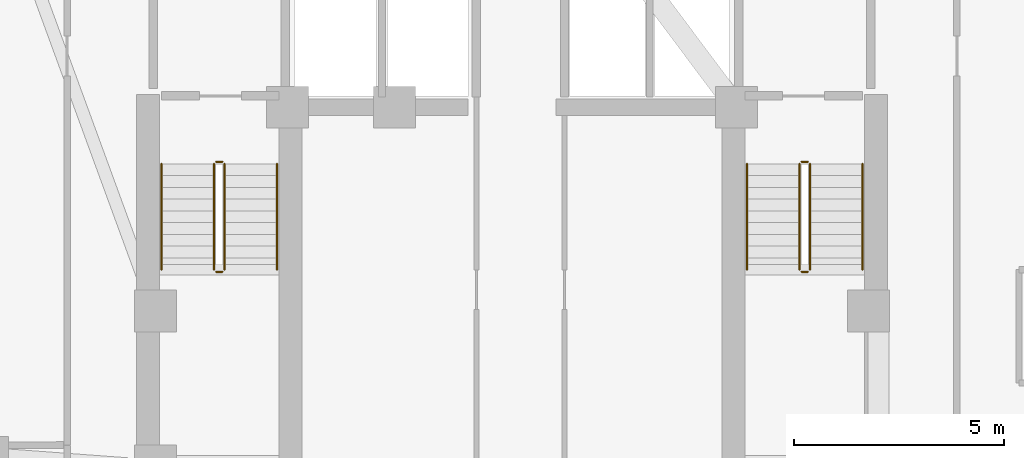
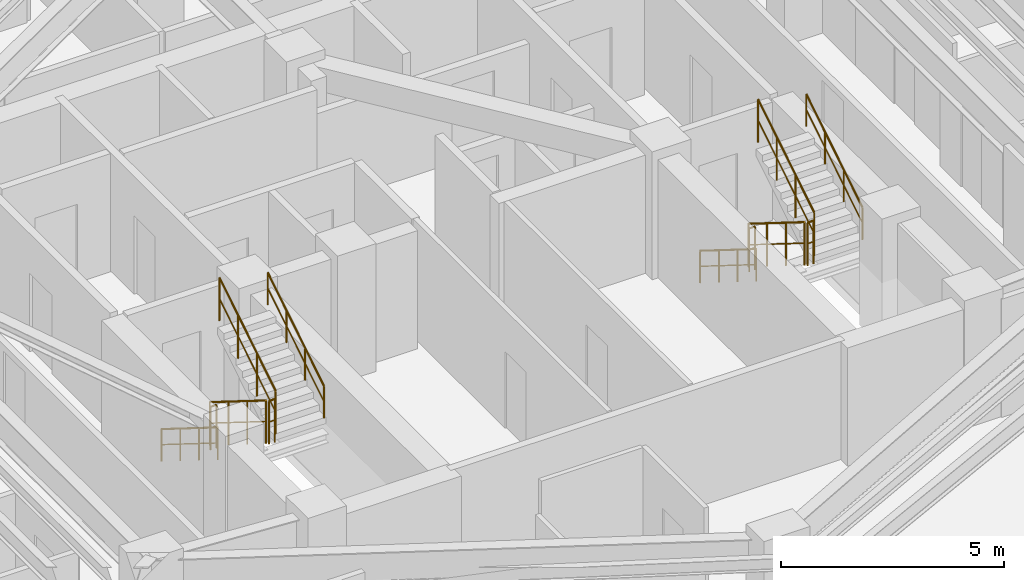
# One storey, part 14 of 14: 12 railings.
"""IFC4 building model written with IfcOpenShell, lengths in metres."""

from ifc_helpers import new_model, si_unit, direction, frame, origin, origin_2d, place, context, subcontext, project, spatial, circle, extrude, material, type_object, element, save


model = new_model("IFC4")

# Units and contexts
model_context = context("Model", 3, precision=1e-05, world=origin(), true_north=direction((0.0, 1.0)))
body_context = subcontext(model_context, "Body", "Model", "MODEL_VIEW")
ifc_project = project(units=[si_unit("LENGTHUNIT", "METRE"), si_unit("AREAUNIT", "SQUARE_METRE"), si_unit("VOLUMEUNIT", "CUBIC_METRE"), si_unit("PLANEANGLEUNIT", "RADIAN"), si_unit("MASSUNIT", "GRAM", prefix="KILO")], contexts=[model_context])

# Site, building, storey
site_placement = place(None, origin())
site = spatial("IfcSite", under=ifc_project, at=site_placement, CompositionType="ELEMENT")
building_placement = place(site_placement, origin())
building = spatial("IfcBuilding", under=site, at=building_placement, Name="Miruveldt Soraemaru", CompositionType="ELEMENT")
storey_placement = place(building_placement, frame((0.0, 0.0, 117.89990234375)))
storey = spatial("IfcBuildingStorey", under=building, at=storey_placement, Name="L32", CompositionType="ELEMENT", Elevation=117.89990234375)

# Railings
ifc_material = material(Name="Steel S355 (355 MPa)", Category="steel")
railing_type_1 = type_object("IfcRailingType", Name="RAIL-HR-900", PredefinedType="HANDRAIL", material=ifc_material)
railing_1_placement = place(storey_placement, frame((35.64990234375, 42.699951171875, 0.175048828125)))
element("IfcRailing", 1, at=railing_1_placement, inside=storey, type_object=railing_type_1, Name="L32 ST-1 stair handrail 1", PredefinedType="HANDRAIL", context=body_context, shape_type="SweptSolid", body=[
    extrude(circle(Radius=0.02392578125, at=origin_2d()), frame((0.0, 0.0, 0.8759765625), z_axis=(0.0, -0.848007534815, 0.529984170421), x_axis=(1.0, 0.0, 0.0)), (0.0, 0.0, 1.0), 2.9716796875),
    extrude(circle(Radius=0.01611328125, at=origin_2d()), frame((0.0, 0.0, 0.449951171875), z_axis=(0.0, -0.848007534815, 0.529984170421), x_axis=(1.0, 0.0, 0.0)), (0.0, 0.0, 1.0), 2.9716796875),
    extrude(circle(Radius=0.02099609375, at=origin_2d()), origin(), (0.0, 0.0, 1.0), 0.851806640625),
    extrude(circle(Radius=0.02099609375, at=origin_2d()), frame((0.0, -0.840087890625, 0.52490234375)), (0.0, 0.0, 1.0), 0.851806640625),
    extrude(circle(Radius=0.02099609375, at=origin_2d()), frame((0.0, -1.679931640625, 1.050048828125)), (0.0, 0.0, 1.0), 0.851806640625),
    extrude(circle(Radius=0.02099609375, at=origin_2d()), frame((0.0, -2.52001953125, 1.574951171875)), (0.0, 0.0, 1.0), 0.851806640625),
])
railing_2_placement = place(storey_placement, frame((38.39990234375, 40.179931640625, 1.925048828125)))
element("IfcRailing", 2, at=railing_2_placement, inside=storey, type_object=railing_type_1, Name="L32 ST-1 stair handrail 2", PredefinedType="HANDRAIL", context=body_context, shape_type="SweptSolid", body=[
    extrude(circle(Radius=0.02392578125, at=origin_2d()), frame((0.0, 0.0, 0.8759765625), z_axis=(0.0, 0.848007534815, 0.529984170421), x_axis=(-1.0, 0.0, 0.0)), (0.0, 0.0, 1.0), 2.9716796875),
    extrude(circle(Radius=0.01611328125, at=origin_2d()), frame((0.0, 0.0, 0.449951171875), z_axis=(0.0, 0.848007534815, 0.529984170421), x_axis=(-1.0, 0.0, 0.0)), (0.0, 0.0, 1.0), 2.9716796875),
    extrude(circle(Radius=0.02099609375, at=origin_2d()), origin(), (0.0, 0.0, 1.0), 0.851806640625),
    extrude(circle(Radius=0.02099609375, at=origin_2d()), frame((0.0, 0.840087890625, 0.52490234375)), (0.0, 0.0, 1.0), 0.851806640625),
    extrude(circle(Radius=0.02099609375, at=origin_2d()), frame((0.0, 1.679931640625, 1.050048828125)), (0.0, 0.0, 1.0), 0.851806640625),
    extrude(circle(Radius=0.02099609375, at=origin_2d()), frame((0.0, 2.52001953125, 1.574951171875)), (0.0, 0.0, 1.0), 0.851806640625),
])
railing_3_placement = place(storey_placement, frame((49.60009765625, 42.699951171875, 0.175048828125)))
element("IfcRailing", 3, at=railing_3_placement, inside=storey, type_object=railing_type_1, Name="L32 ST-2 stair handrail 1", PredefinedType="HANDRAIL", context=body_context, shape_type="SweptSolid", body=[
    extrude(circle(Radius=0.02392578125, at=origin_2d()), frame((0.0, 0.0, 0.8759765625), z_axis=(0.0, -0.848007534815, 0.529984170421), x_axis=(1.0, 0.0, 0.0)), (0.0, 0.0, 1.0), 2.9716796875),
    extrude(circle(Radius=0.01611328125, at=origin_2d()), frame((0.0, 0.0, 0.449951171875), z_axis=(0.0, -0.848007534815, 0.529984170421), x_axis=(1.0, 0.0, 0.0)), (0.0, 0.0, 1.0), 2.9716796875),
    extrude(circle(Radius=0.02099609375, at=origin_2d()), origin(), (0.0, 0.0, 1.0), 0.851806640625),
    extrude(circle(Radius=0.02099609375, at=origin_2d()), frame((0.0, -0.840087890625, 0.52490234375)), (0.0, 0.0, 1.0), 0.851806640625),
    extrude(circle(Radius=0.02099609375, at=origin_2d()), frame((0.0, -1.679931640625, 1.050048828125)), (0.0, 0.0, 1.0), 0.851806640625),
    extrude(circle(Radius=0.02099609375, at=origin_2d()), frame((0.0, -2.52001953125, 1.574951171875)), (0.0, 0.0, 1.0), 0.851806640625),
])
railing_4_placement = place(storey_placement, frame((52.35009765625, 40.179931640625, 1.925048828125)))
element("IfcRailing", 4, at=railing_4_placement, inside=storey, type_object=railing_type_1, Name="L32 ST-2 stair handrail 2", PredefinedType="HANDRAIL", context=body_context, shape_type="SweptSolid", body=[
    extrude(circle(Radius=0.02392578125, at=origin_2d()), frame((0.0, 0.0, 0.8759765625), z_axis=(0.0, 0.848007534815, 0.529984170421), x_axis=(-1.0, 0.0, 0.0)), (0.0, 0.0, 1.0), 2.9716796875),
    extrude(circle(Radius=0.01611328125, at=origin_2d()), frame((0.0, 0.0, 0.449951171875), z_axis=(0.0, 0.848007534815, 0.529984170421), x_axis=(-1.0, 0.0, 0.0)), (0.0, 0.0, 1.0), 2.9716796875),
    extrude(circle(Radius=0.02099609375, at=origin_2d()), origin(), (0.0, 0.0, 1.0), 0.851806640625),
    extrude(circle(Radius=0.02099609375, at=origin_2d()), frame((0.0, 0.840087890625, 0.52490234375)), (0.0, 0.0, 1.0), 0.851806640625),
    extrude(circle(Radius=0.02099609375, at=origin_2d()), frame((0.0, 1.679931640625, 1.050048828125)), (0.0, 0.0, 1.0), 0.851806640625),
    extrude(circle(Radius=0.02099609375, at=origin_2d()), frame((0.0, 2.52001953125, 1.574951171875)), (0.0, 0.0, 1.0), 0.851806640625),
])
railing_type_2 = type_object("IfcRailingType", Name="RAIL-STGUARD-1200", PredefinedType="GUARDRAIL", material=ifc_material)
railing_5_placement = place(storey_placement, frame((36.89990234375, 42.699951171875, 0.175048828125)))
element("IfcRailing", 5, at=railing_5_placement, inside=storey, type_object=railing_type_2, Name="L32 ST-1 stair guard 1", PredefinedType="GUARDRAIL", context=body_context, shape_type="SweptSolid", body=[
    extrude(circle(Radius=0.02392578125, at=origin_2d()), frame((0.0, 0.0, 1.17578125), z_axis=(0.0, -0.848007534815, 0.529984170421), x_axis=(1.0, 0.0, 0.0)), (0.0, 0.0, 1.0), 2.9716796875),
    extrude(circle(Radius=0.01611328125, at=origin_2d()), frame((0.0, 0.0, 0.60009765625), z_axis=(0.0, -0.848007534815, 0.529984170421), x_axis=(1.0, 0.0, 0.0)), (0.0, 0.0, 1.0), 2.9716796875),
    extrude(circle(Radius=0.02099609375, at=origin_2d()), origin(), (0.0, 0.0, 1.0), 1.15185546875),
    extrude(circle(Radius=0.02099609375, at=origin_2d()), frame((0.0, -0.840087890625, 0.52490234375)), (0.0, 0.0, 1.0), 1.15185546875),
    extrude(circle(Radius=0.02099609375, at=origin_2d()), frame((0.0, -1.679931640625, 1.050048828125)), (0.0, 0.0, 1.0), 1.15185546875),
    extrude(circle(Radius=0.02099609375, at=origin_2d()), frame((0.0, -2.52001953125, 1.574951171875)), (0.0, 0.0, 1.0), 1.15185546875),
])
railing_6_placement = place(storey_placement, frame((36.949951171875, 40.1298828125, 1.75)))
element("IfcRailing", 6, at=railing_6_placement, inside=storey, type_object=railing_type_2, Name="L32 ST-1 stair guard 2", PredefinedType="GUARDRAIL", context=body_context, shape_type="SweptSolid", body=[
    extrude(circle(Radius=0.02392578125, at=origin_2d()), frame((0.0, 0.0, 1.17578125), z_axis=(1.0, 0.0, 0.0), x_axis=(0.0, 1.0, 0.0)), (0.0, 0.0, 1.0), 0.150146484375),
    extrude(circle(Radius=0.01611328125, at=origin_2d()), frame((0.0, 0.0, 0.60009765625), z_axis=(1.0, 0.0, 0.0), x_axis=(0.0, 1.0, 0.0)), (0.0, 0.0, 1.0), 0.150146484375),
    extrude(circle(Radius=0.02099609375, at=origin_2d()), origin(), (0.0, 0.0, 1.0), 1.15185546875),
    extrude(circle(Radius=0.02099609375, at=origin_2d()), frame((0.150146484375, 0.0, 0.0)), (0.0, 0.0, 1.0), 1.15185546875),
])
railing_7_placement = place(storey_placement, frame((37.14990234375, 40.179931640625, 1.925048828125)))
element("IfcRailing", 7, at=railing_7_placement, inside=storey, type_object=railing_type_2, Name="L32 ST-1 stair guard 3", PredefinedType="GUARDRAIL", context=body_context, shape_type="SweptSolid", body=[
    extrude(circle(Radius=0.02392578125, at=origin_2d()), frame((0.0, 0.0, 1.17578125), z_axis=(0.0, 0.848007534815, 0.529984170421), x_axis=(-1.0, 0.0, 0.0)), (0.0, 0.0, 1.0), 2.9716796875),
    extrude(circle(Radius=0.01611328125, at=origin_2d()), frame((0.0, 0.0, 0.60009765625), z_axis=(0.0, 0.848007534815, 0.529984170421), x_axis=(-1.0, 0.0, 0.0)), (0.0, 0.0, 1.0), 2.9716796875),
    extrude(circle(Radius=0.02099609375, at=origin_2d()), origin(), (0.0, 0.0, 1.0), 1.15185546875),
    extrude(circle(Radius=0.02099609375, at=origin_2d()), frame((0.0, 0.840087890625, 0.52490234375)), (0.0, 0.0, 1.0), 1.15185546875),
    extrude(circle(Radius=0.02099609375, at=origin_2d()), frame((0.0, 1.679931640625, 1.050048828125)), (0.0, 0.0, 1.0), 1.15185546875),
    extrude(circle(Radius=0.02099609375, at=origin_2d()), frame((0.0, 2.52001953125, 1.574951171875)), (0.0, 0.0, 1.0), 1.15185546875),
])
railing_8_placement = place(storey_placement, frame((36.949951171875, 42.75, 0.0)))
element("IfcRailing", 8, at=railing_8_placement, inside=storey, type_object=railing_type_2, Name="L32 ST-1 stair guard 4", PredefinedType="GUARDRAIL", context=body_context, shape_type="SweptSolid", body=[
    extrude(circle(Radius=0.02392578125, at=origin_2d()), frame((0.0, 0.0, 1.17578125), z_axis=(1.0, 0.0, 0.0), x_axis=(0.0, 1.0, 0.0)), (0.0, 0.0, 1.0), 0.150146484375),
    extrude(circle(Radius=0.01611328125, at=origin_2d()), frame((0.0, 0.0, 0.60009765625), z_axis=(1.0, 0.0, 0.0), x_axis=(0.0, 1.0, 0.0)), (0.0, 0.0, 1.0), 0.150146484375),
    extrude(circle(Radius=0.02099609375, at=origin_2d()), origin(), (0.0, 0.0, 1.0), 1.15185546875),
    extrude(circle(Radius=0.02099609375, at=origin_2d()), frame((0.150146484375, 0.0, 0.0)), (0.0, 0.0, 1.0), 1.15185546875),
])
railing_9_placement = place(storey_placement, frame((50.85009765625, 42.699951171875, 0.175048828125)))
element("IfcRailing", 9, at=railing_9_placement, inside=storey, type_object=railing_type_2, Name="L32 ST-2 stair guard 1", PredefinedType="GUARDRAIL", context=body_context, shape_type="SweptSolid", body=[
    extrude(circle(Radius=0.02392578125, at=origin_2d()), frame((0.0, 0.0, 1.17578125), z_axis=(0.0, -0.848007534815, 0.529984170421), x_axis=(1.0, 0.0, 0.0)), (0.0, 0.0, 1.0), 2.9716796875),
    extrude(circle(Radius=0.01611328125, at=origin_2d()), frame((0.0, 0.0, 0.60009765625), z_axis=(0.0, -0.848007534815, 0.529984170421), x_axis=(1.0, 0.0, 0.0)), (0.0, 0.0, 1.0), 2.9716796875),
    extrude(circle(Radius=0.02099609375, at=origin_2d()), origin(), (0.0, 0.0, 1.0), 1.15185546875),
    extrude(circle(Radius=0.02099609375, at=origin_2d()), frame((0.0, -0.840087890625, 0.52490234375)), (0.0, 0.0, 1.0), 1.15185546875),
    extrude(circle(Radius=0.02099609375, at=origin_2d()), frame((0.0, -1.679931640625, 1.050048828125)), (0.0, 0.0, 1.0), 1.15185546875),
    extrude(circle(Radius=0.02099609375, at=origin_2d()), frame((0.0, -2.52001953125, 1.574951171875)), (0.0, 0.0, 1.0), 1.15185546875),
])
railing_10_placement = place(storey_placement, frame((50.89990234375, 40.1298828125, 1.75)))
element("IfcRailing", 10, at=railing_10_placement, inside=storey, type_object=railing_type_2, Name="L32 ST-2 stair guard 2", PredefinedType="GUARDRAIL", context=body_context, shape_type="SweptSolid", body=[
    extrude(circle(Radius=0.02392578125, at=origin_2d()), frame((0.0, 0.0, 1.17578125), z_axis=(1.0, 0.0, 0.0), x_axis=(0.0, 1.0, 0.0)), (0.0, 0.0, 1.0), 0.150146484375),
    extrude(circle(Radius=0.01611328125, at=origin_2d()), frame((0.0, 0.0, 0.60009765625), z_axis=(1.0, 0.0, 0.0), x_axis=(0.0, 1.0, 0.0)), (0.0, 0.0, 1.0), 0.150146484375),
    extrude(circle(Radius=0.02099609375, at=origin_2d()), origin(), (0.0, 0.0, 1.0), 1.15185546875),
    extrude(circle(Radius=0.02099609375, at=origin_2d()), frame((0.150146484375, 0.0, 0.0)), (0.0, 0.0, 1.0), 1.15185546875),
])
railing_11_placement = place(storey_placement, frame((51.10009765625, 40.179931640625, 1.925048828125)))
element("IfcRailing", 11, at=railing_11_placement, inside=storey, type_object=railing_type_2, Name="L32 ST-2 stair guard 3", PredefinedType="GUARDRAIL", context=body_context, shape_type="SweptSolid", body=[
    extrude(circle(Radius=0.02392578125, at=origin_2d()), frame((0.0, 0.0, 1.17578125), z_axis=(0.0, 0.848007534815, 0.529984170421), x_axis=(-1.0, 0.0, 0.0)), (0.0, 0.0, 1.0), 2.9716796875),
    extrude(circle(Radius=0.01611328125, at=origin_2d()), frame((0.0, 0.0, 0.60009765625), z_axis=(0.0, 0.848007534815, 0.529984170421), x_axis=(-1.0, 0.0, 0.0)), (0.0, 0.0, 1.0), 2.9716796875),
    extrude(circle(Radius=0.02099609375, at=origin_2d()), origin(), (0.0, 0.0, 1.0), 1.15185546875),
    extrude(circle(Radius=0.02099609375, at=origin_2d()), frame((0.0, 0.840087890625, 0.52490234375)), (0.0, 0.0, 1.0), 1.15185546875),
    extrude(circle(Radius=0.02099609375, at=origin_2d()), frame((0.0, 1.679931640625, 1.050048828125)), (0.0, 0.0, 1.0), 1.15185546875),
    extrude(circle(Radius=0.02099609375, at=origin_2d()), frame((0.0, 2.52001953125, 1.574951171875)), (0.0, 0.0, 1.0), 1.15185546875),
])
railing_12_placement = place(storey_placement, frame((50.89990234375, 42.75, 0.0)))
element("IfcRailing", 12, at=railing_12_placement, inside=storey, type_object=railing_type_2, Name="L32 ST-2 stair guard 4", PredefinedType="GUARDRAIL", context=body_context, shape_type="SweptSolid", body=[
    extrude(circle(Radius=0.02392578125, at=origin_2d()), frame((0.0, 0.0, 1.17578125), z_axis=(1.0, 0.0, 0.0), x_axis=(0.0, 1.0, 0.0)), (0.0, 0.0, 1.0), 0.150146484375),
    extrude(circle(Radius=0.01611328125, at=origin_2d()), frame((0.0, 0.0, 0.60009765625), z_axis=(1.0, 0.0, 0.0), x_axis=(0.0, 1.0, 0.0)), (0.0, 0.0, 1.0), 0.150146484375),
    extrude(circle(Radius=0.02099609375, at=origin_2d()), origin(), (0.0, 0.0, 1.0), 1.15185546875),
    extrude(circle(Radius=0.02099609375, at=origin_2d()), frame((0.150146484375, 0.0, 0.0)), (0.0, 0.0, 1.0), 1.15185546875),
])

save(model, "model.ifc")
